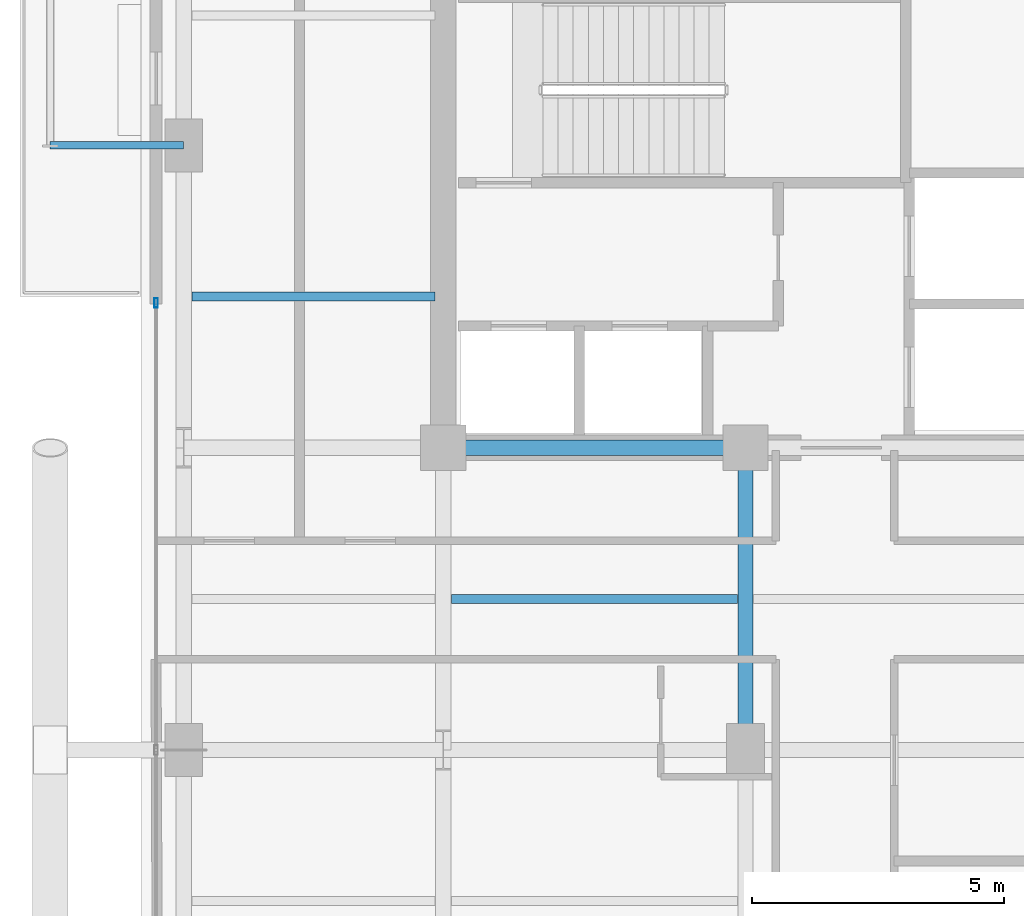
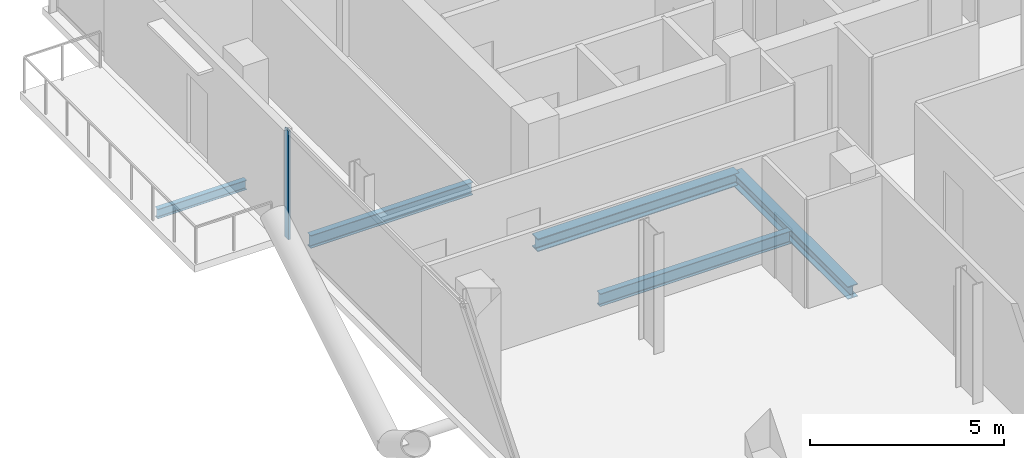
# One storey, part 7 of 25: 5 beams, 1 member, 1 element without a shape of its own.
"""IFC4 building model written with IfcOpenShell, lengths in metres."""

from ifc_helpers import new_model, si_unit, direction, frame, origin, origin_2d, place, context, subcontext, project, spatial, hollow_rectangle, i_section, extrude, material, layer, layer_set, material_profile, profile_set, type_object, element, aggregate, save


model = new_model("IFC4")

# Units and contexts
model_context = context("Model", 3, precision=1e-05, world=origin(), true_north=direction((0.0, 1.0)))
body_context = subcontext(model_context, "Body", "Model", "MODEL_VIEW")
ifc_project = project(units=[si_unit("LENGTHUNIT", "METRE"), si_unit("AREAUNIT", "SQUARE_METRE"), si_unit("VOLUMEUNIT", "CUBIC_METRE"), si_unit("PLANEANGLEUNIT", "RADIAN"), si_unit("MASSUNIT", "GRAM", prefix="KILO"), si_unit("THERMODYNAMICTEMPERATUREUNIT", "KELVIN"), si_unit("POWERUNIT", "WATT")], contexts=[model_context])

# Site, building, storey
site_placement = place(None, origin())
site = spatial("IfcSite", under=ifc_project, at=site_placement, CompositionType="ELEMENT")
building_placement = place(site_placement, origin())
building = spatial("IfcBuilding", under=site, at=building_placement, Name="Svarakhadi Broadcast Tower", CompositionType="ELEMENT")
storey_placement = place(building_placement, frame((0.0, 0.0, 231.14990234375)))
storey = spatial("IfcBuildingStorey", under=building, at=storey_placement, Name="L57", CompositionType="ELEMENT", Elevation=231.14990234375)

# Beams
ifc_material_1 = material(Name="Steel S355J2 (IS 2062 E350C)", Category="steel")
ifc_material_profile_1 = material_profile(ifc_material_1, i_section(OverallWidth=0.179931640625, OverallDepth=0.39990234375, WebThickness=0.008544921875, FlangeThickness=0.013427734375, FilletRadius=0.02099609375, at=origin_2d()), Name="NPB 400x180x66")
ifc_profile_set_1 = profile_set([ifc_material_profile_1], Name="Steel S355J2 (IS 2062 E350C)")
beam_type_1 = type_object("IfcBeamType", Name="Beam_NPB400", PredefinedType="BEAM", material=ifc_profile_set_1)
beam_1_placement = place(storey_placement, frame((1.010009765625, 21.0, -0.409912109375), z_axis=(1.0, 0.0, 0.0), x_axis=(0.0, 1.0, 0.0)))
element("IfcBeam", 1, at=beam_1_placement, inside=storey, type_object=beam_type_1, Name="L57 Secondary Composite Beam SB003", PredefinedType="BEAM", context=body_context, shape_type="SweptSolid", body=[
    extrude(i_section(OverallWidth=0.179931640625, OverallDepth=0.39990234375, WebThickness=0.008544921875, FlangeThickness=0.013427734375, FilletRadius=0.02099609375, at=origin_2d()), origin(), (0.0, 0.0, 1.0), 4.830078125),
])
beam_2_placement = place(storey_placement, frame((6.159912109375, 15.0, -0.409912109375), z_axis=(1.0, 0.0, 0.0), x_axis=(0.0, 1.0, 0.0)))
element("IfcBeam", 2, at=beam_2_placement, inside=storey, type_object=beam_type_1, Name="L57 Secondary Composite Beam SB007", PredefinedType="BEAM", context=body_context, shape_type="SweptSolid", body=[
    extrude(i_section(OverallWidth=0.179931640625, OverallDepth=0.39990234375, WebThickness=0.008544921875, FlangeThickness=0.013427734375, FilletRadius=0.02099609375, at=origin_2d()), origin(), (0.0, 0.0, 1.0), 5.68017578125),
])

# Curtain wall, member
ifc_material_2 = material(Name="Anodised Bronze Aluminium AA 6063-T6", Category="aluminium")
ifc_layer = layer(ifc_material_2, 0.18994140625)
ifc_layer_set = layer_set([ifc_layer], Name="Anodised Bronze Aluminium AA 6063-T6")
curtain_wall_type = type_object("IfcCurtainWallType", Name="CW_Sys_04", PredefinedType="NOTDEFINED", material=ifc_layer_set)
curtain_wall_placement = place(storey_placement, origin())
curtain_wall = element("IfcCurtainWall", 3, at=curtain_wall_placement, inside=storey, type_object=curtain_wall_type, Name="L57 West Curtain Wall 02", PredefinedType="NOTDEFINED")
ifc_material_profile_2 = material_profile(ifc_material_2, hollow_rectangle(XDim=0.070068359375, YDim=0.18994140625, WallThickness=0.005615234375, at=origin_2d()), Name="ALU MULLION 190x70x6")
ifc_profile_set_2 = profile_set([ifc_material_profile_2], Name="Anodised Bronze Aluminium AA 6063-T6")
member_type = type_object("IfcMemberType", Name="CW_Sys_04_Mul", PredefinedType="MULLION", material=ifc_profile_set_2)
member_placement = place(storey_placement, frame((0.300048828125, 20.875, 0.0), z_axis=(0.0, 0.0, 1.0), x_axis=(-1.0, 0.0, 0.0)))
member = element("IfcMember", 4, at=member_placement, type_object=member_type, Name="CW-04 mullion 3", PredefinedType="MULLION", context=body_context, shape_type="SweptSolid", body=[
    extrude(hollow_rectangle(XDim=0.070068359375, YDim=0.18994140625, WallThickness=0.005615234375, at=origin_2d()), origin(), (0.0, 0.0, 1.0), 3.425048828125),
])
aggregate(curtain_wall, [member])

# Beams
ifc_material_profile_3 = material_profile(ifc_material_1, i_section(OverallWidth=0.300048828125, OverallDepth=0.39990234375, WebThickness=0.013427734375, FlangeThickness=0.02392578125, FilletRadius=0.027099609375, at=origin_2d()), Name="WPB 400x300x155")
ifc_profile_set_3 = profile_set([ifc_material_profile_3], Name="Steel S355J2 (IS 2062 E350C)")
beam_type_2 = type_object("IfcBeamType", Name="Girder_WPB400", PredefinedType="USERDEFINED", material=ifc_profile_set_3)
for number, where, z_axis, x_axis, name in (
    (5, (6.0, 18.0, -0.409912109375), (1.0, 0.0, 0.0), (0.0, 1.0, 0.0), "L57 Primary E-W Girder G021"),
    (6, (12.0, 12.0, -0.409912109375), (0.0, 1.0, 0.0), (-1.0, 0.0, 0.0), "L57 Primary N-S Girder G044"),
):
    element("IfcBeam", number, at=place(storey_placement, frame(where, z_axis=z_axis, x_axis=x_axis)), inside=storey, type_object=beam_type_2, Name=name, ObjectType="GIRDER", PredefinedType="USERDEFINED", context=body_context, shape_type="SweptSolid", body=[
        extrude(i_section(OverallWidth=0.300048828125, OverallDepth=0.39990234375, WebThickness=0.013427734375, FlangeThickness=0.02392578125, FilletRadius=0.027099609375, at=origin_2d()), origin(), (0.0, 0.0, 1.0), 6.0),
    ])
ifc_material_profile_4 = material_profile(ifc_material_1, i_section(OverallWidth=0.14990234375, OverallDepth=0.300048828125, WebThickness=0.007080078125, FlangeThickness=0.0107421875, FilletRadius=0.014892578125, at=origin_2d()), Name="NPB 300x150x37")
ifc_profile_set_4 = profile_set([ifc_material_profile_4], Name="Steel S355J2 (IS 2062 E350C)")
beam_type_3 = type_object("IfcBeamType", Name="Spandrel_NPB300", PredefinedType="SPANDREL", material=ifc_profile_set_4)
beam_3_placement = place(storey_placement, frame((0.85009765625, 24.0, -0.375), z_axis=(-1.0, 0.0, 0.0), x_axis=(0.0, -1.0, 0.0)))
element("IfcBeam", 7, at=beam_3_placement, inside=storey, type_object=beam_type_3, Name="L57 Balcony Cantilever Bracket 2A", PredefinedType="SPANDREL", context=body_context, shape_type="SweptSolid", body=[
    extrude(i_section(OverallWidth=0.14990234375, OverallDepth=0.300048828125, WebThickness=0.007080078125, FlangeThickness=0.0107421875, FilletRadius=0.014892578125, at=origin_2d()), origin(), (0.0, 0.0, 1.0), 2.650146484375),
])

save(model, "model.ifc")
